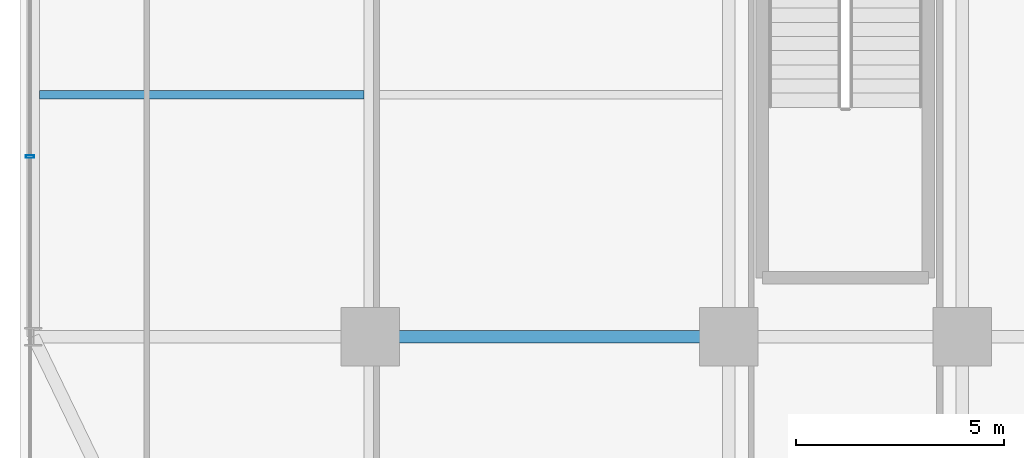
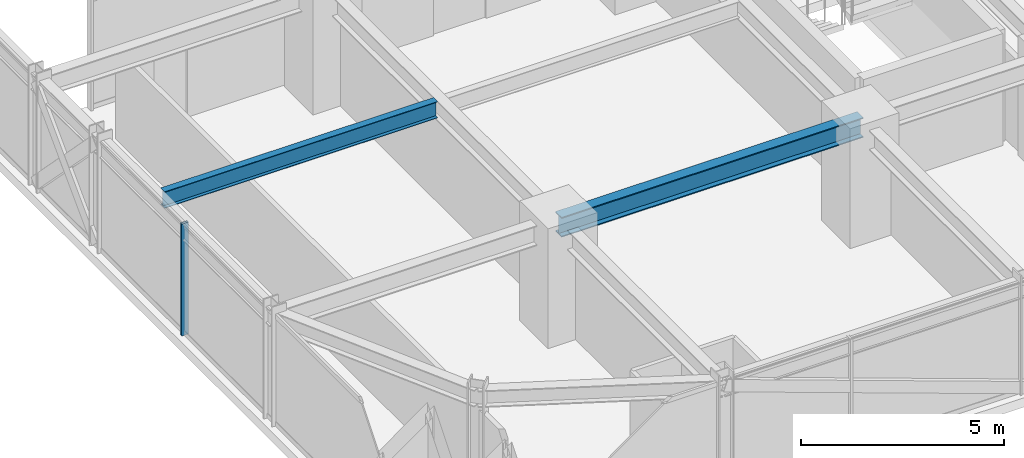
# One storey, part 5 of 47: 2 beams, 1 member, 1 element without a shape of its own.
"""IFC4 building model written with IfcOpenShell, lengths in metres."""

from ifc_helpers import new_model, si_unit, direction, frame, origin, origin_2d, place, context, subcontext, project, spatial, hollow_rectangle, i_section, extrude, source, transform, mapped, material, material_profile, profile_set, type_object, element, aggregate, save


model = new_model("IFC4")

# Units and contexts
model_context = context("Model", 3, precision=1e-05, world=origin(), true_north=direction((0.0, 1.0)))
body_context = subcontext(model_context, "Body", "Model", "MODEL_VIEW")
ifc_project = project(units=[si_unit("LENGTHUNIT", "METRE"), si_unit("AREAUNIT", "SQUARE_METRE"), si_unit("VOLUMEUNIT", "CUBIC_METRE"), si_unit("PLANEANGLEUNIT", "RADIAN"), si_unit("MASSUNIT", "GRAM", prefix="KILO")], contexts=[model_context])

# Site, building, storey
site_placement = place(None, origin())
site = spatial("IfcSite", under=ifc_project, at=site_placement, CompositionType="ELEMENT")
building_placement = place(site_placement, origin())
building = spatial("IfcBuilding", under=site, at=building_placement, Name="Nahalor Promenade Grand Hotel", CompositionType="ELEMENT")
storey_placement = place(building_placement, frame((0.0, 0.0, 68.89990234375)))
storey = spatial("IfcBuildingStorey", under=building, at=storey_placement, Name="L16", CompositionType="ELEMENT", Elevation=68.89990234375)

# Beams
ifc_material_1 = material(Name="Steel S355JR", Category="steel")
ifc_material_profile_1 = material_profile(ifc_material_1, i_section(OverallWidth=0.3, OverallDepth=0.6, WebThickness=0.0155, FlangeThickness=0.03, at=origin_2d()), Name="HEB 600")
ifc_profile_set_1 = profile_set([ifc_material_profile_1], Name="Steel S355JR")
beam_type_1 = type_object("IfcBeamType", Name="Beam-Girder-HEB600", PredefinedType="BEAM", material=ifc_profile_set_1)
shared_shape_1 = source(origin(), body_context, "Body", "SweptSolid", [
    extrude(i_section(OverallWidth=0.3, OverallDepth=0.6, WebThickness=0.0155, FlangeThickness=0.03, at=origin_2d()), origin(), (0.0, 0.0, 1.0), 8.60009765625),
])
beam_1_placement = place(storey_placement, frame((-17.0, -17.0, 3.070068359375), z_axis=(1.0, 0.0, 0.0), x_axis=(0.0, 1.0, 0.0)))
element("IfcBeam", 1, at=beam_1_placement, inside=storey, type_object=beam_type_1, Name="BM-L16-GX-0-1", PredefinedType="BEAM", context=body_context, shape_type="MappedRepresentation", body=[
    mapped(shared_shape_1, transform((0.0, 0.0, 0.0), scale=1.0)),
])
ifc_material_profile_2 = material_profile(ifc_material_1, i_section(OverallWidth=0.2, OverallDepth=0.5, WebThickness=0.0102, FlangeThickness=0.016, at=origin_2d()), Name="IPE 500")
ifc_profile_set_2 = profile_set([ifc_material_profile_2], Name="Steel S355JR")
beam_type_2 = type_object("IfcBeamType", Name="Beam-Joist-IPE500", PredefinedType="JOIST", material=ifc_profile_set_2)
shared_shape_2 = source(origin(), body_context, "Body", "SweptSolid", [
    extrude(i_section(OverallWidth=0.2, OverallDepth=0.5, WebThickness=0.0102, FlangeThickness=0.016, at=origin_2d()), origin(), (0.0, 0.0, 1.0), 7.780029296875),
])
beam_2_placement = place(storey_placement, frame((-24.929931640625, -11.199951171875, 3.1201171875), z_axis=(1.0, 0.0, 0.0), x_axis=(0.0, 1.0, 0.0)))
element("IfcBeam", 2, at=beam_2_placement, inside=storey, type_object=beam_type_2, Name="BM-L16-JSW-0-0", PredefinedType="JOIST", context=body_context, shape_type="MappedRepresentation", body=[
    mapped(shared_shape_2, transform((0.0, 0.0, 0.0), scale=1.0)),
])

# Curtain wall, member
ifc_material_2 = material(Name="Anodised Bronze Aluminium EN AW-6063 T6", Category="aluminium")
curtain_wall_type = type_object("IfcCurtainWallType", Name="CW3 Elliptical-Void Collar Unitised Curtain Wall", PredefinedType="USERDEFINED", material=ifc_material_2)
curtain_wall_placement = place(storey_placement, origin())
curtain_wall = element("IfcCurtainWall", 3, at=curtain_wall_placement, inside=storey, type_object=curtain_wall_type, Name="L16 Curtain Wall CW-L16-W-1", ObjectType="UNITISED_CURTAIN_WALL", PredefinedType="USERDEFINED")
ifc_material_profile_3 = material_profile(ifc_material_2, hollow_rectangle(XDim=0.07, YDim=0.2, WallThickness=0.005, at=origin_2d()), Name="CWM 70x200x5")
ifc_profile_set_3 = profile_set([ifc_material_profile_3], Name="Anodised Bronze Aluminium EN AW-6063 T6")
member_type = type_object("IfcMemberType", Name="CWM3 Void Collar Mullion 70x200", PredefinedType="MULLION", material=ifc_profile_set_3)
shared_shape_3 = source(origin(), body_context, "Body", "SweptSolid", [
    extrude(hollow_rectangle(XDim=0.07, YDim=0.2, WallThickness=0.005, at=origin_2d()), origin(), (0.0, 0.0, 1.0), 3.3701171875),
])
member_placement = place(storey_placement, frame((-25.159912109375, -12.679443359375, 0.0), z_axis=(0.0, 0.0, 1.0), x_axis=(0.0, 1.0, 0.0)))
member = element("IfcMember", 4, at=member_placement, type_object=member_type, Name="CW-L16-W-1 Mullion 1", PredefinedType="MULLION", context=body_context, shape_type="MappedRepresentation", body=[
    mapped(shared_shape_3, transform((0.0, 0.0, 0.0), scale=1.0)),
])
aggregate(curtain_wall, [member])

save(model, "model.ifc")
